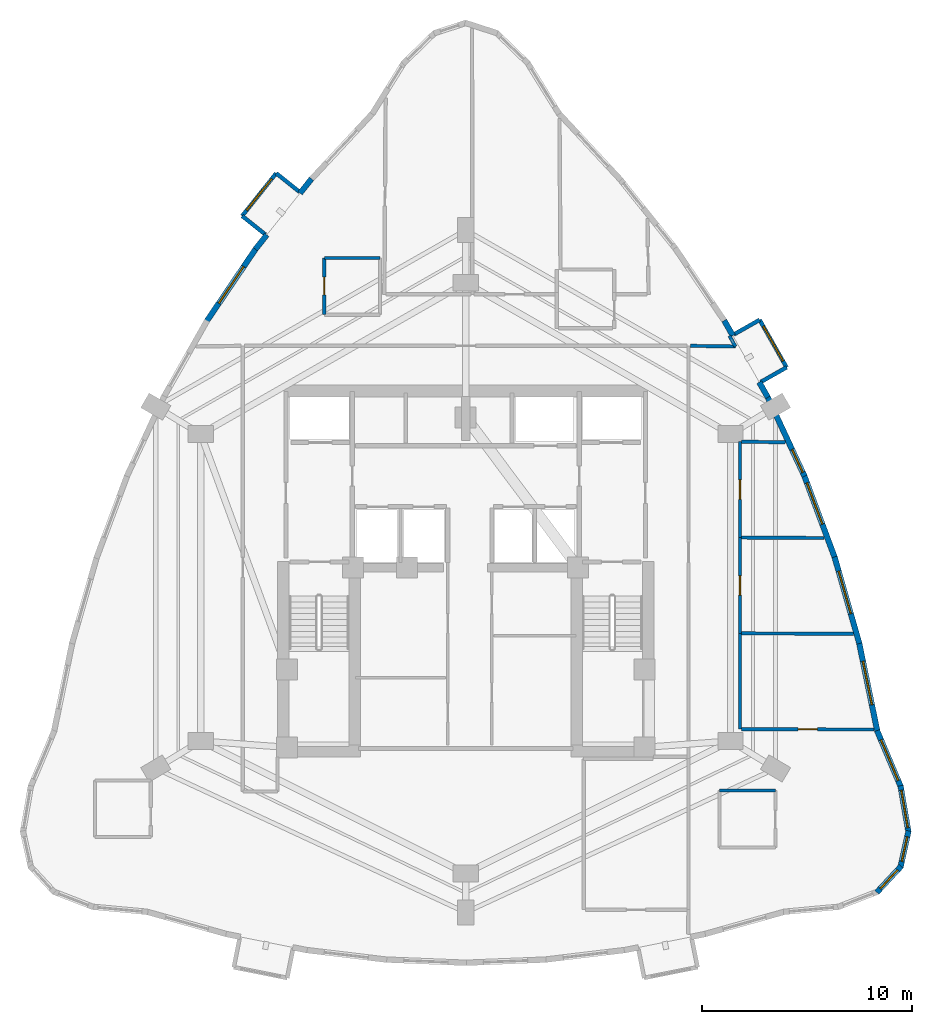
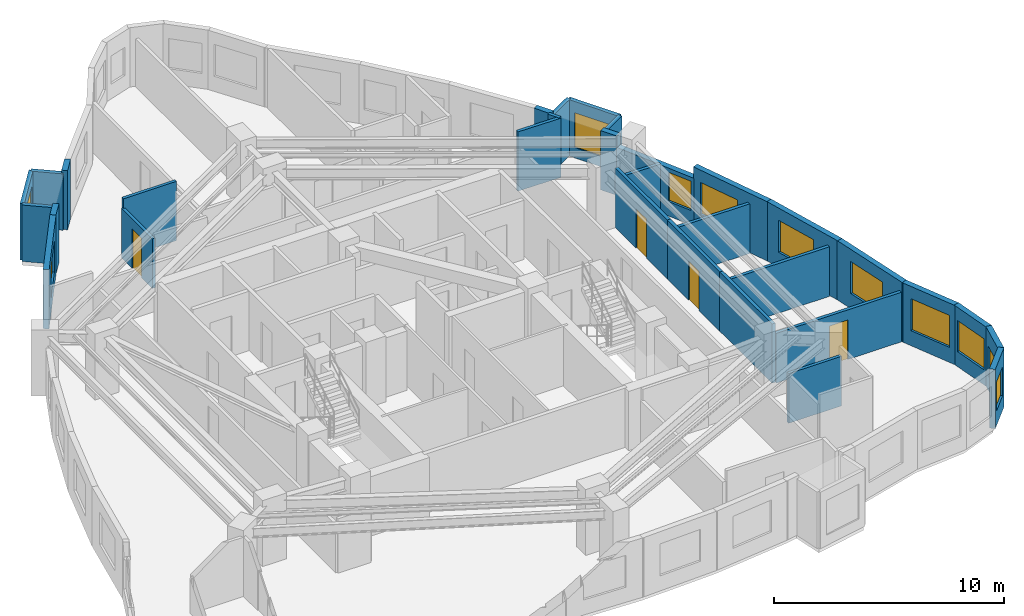
# One storey, part 7 of 9: 31 walls, 11 windows, 4 doors, 15 openings.
"""IFC4 building model written with IfcOpenShell, lengths in metres."""

from ifc_helpers import new_model, si_unit, direction, frame, frame_2d, origin, place, context, subcontext, project, spatial, rectangle, extrude, material, layer, layer_set, type_object, element, fill, save


model = new_model("IFC4")

# Units and contexts
model_context = context("Model", 3, precision=1e-05, world=origin(), true_north=direction((0.0, 1.0)))
body_context = subcontext(model_context, "Body", "Model", "MODEL_VIEW")
ifc_project = project(units=[si_unit("LENGTHUNIT", "METRE"), si_unit("AREAUNIT", "SQUARE_METRE"), si_unit("VOLUMEUNIT", "CUBIC_METRE"), si_unit("PLANEANGLEUNIT", "RADIAN"), si_unit("MASSUNIT", "GRAM", prefix="KILO")], contexts=[model_context])

# Site, building, storey
site_placement = place(None, origin())
site = spatial("IfcSite", under=ifc_project, at=site_placement, CompositionType="ELEMENT")
building_placement = place(site_placement, origin())
building = spatial("IfcBuilding", under=site, at=building_placement, Name="Miruveldt Soraemaru", CompositionType="ELEMENT")
storey_placement = place(building_placement, frame((0.0, 0.0, 180.89990234375)))
storey = spatial("IfcBuildingStorey", under=building, at=storey_placement, Name="L50", CompositionType="ELEMENT", Elevation=180.89990234375)

# Walls
ifc_material_1 = material(Name="White powder-coated aluminium EN AW-6060 T6", Category="aluminium")
ifc_layer_1 = layer(ifc_material_1, 0.18994140625, Name="White powder-coated aluminium EN AW-6060 T6", Category="aluminium")
ifc_layer_set_1 = layer_set([ifc_layer_1], Name="White powder-coated aluminium EN AW-6060 T6")
wall_type_1 = type_object("IfcWallType", Name="WALL-BAY-ALU190", PredefinedType="SOLIDWALL", material=ifc_layer_set_1)
wall_1_placement = place(storey_placement, frame((36.099609375, 61.92041015625, 0.0), z_axis=(0.0, 0.0, 1.0), x_axis=(-0.781737193764, 0.623608017817, 0.0)))
element("IfcWall", 1, at=wall_1_placement, inside=storey, type_object=wall_type_1, Name="L50 Bay Window Side Cheek 4L", PredefinedType="SOLIDWALL", context=body_context, shape_type="SweptSolid", body=[
    extrude(rectangle(XDim=1.425048828125, YDim=0.18994140625, at=frame_2d((0.71240234375, 0.0))), origin(), (0.0, 0.0, 1.0), 3.0),
])
wall_2_placement = place(storey_placement, frame((33.3642578125, 60.776611328125, 0.0), z_axis=(0.0, 0.0, 1.0), x_axis=(0.781653677161, -0.623712697467, 0.0)))
element("IfcWall", 2, at=wall_2_placement, inside=storey, type_object=wall_type_1, Name="L50 Bay Window Side Cheek 4R", PredefinedType="SOLIDWALL", context=body_context, shape_type="SweptSolid", body=[
    extrude(rectangle(XDim=1.42529296875, YDim=0.18994140625, at=frame_2d((0.712646484375, 0.0))), origin(), (0.0, 0.0, 1.0), 3.0),
])

# Wall, opening, window
wall_3_placement = place(storey_placement, frame((34.985595703125, 62.80908203125, 0.0), z_axis=(0.0, 0.0, 1.0), x_axis=(-0.623606546405, -0.781738367538, 0.0)))
wall_3 = element("IfcWall", 3, at=wall_3_placement, inside=storey, type_object=wall_type_1, Name="L50 Bay Window Front Frame 4", PredefinedType="SOLIDWALL", context=body_context, shape_type="SweptSolid", body=[
    extrude(rectangle(XDim=2.599853515625, YDim=0.18994140625, at=frame_2d((1.2998046875, 0.0))), origin(), (0.0, 0.0, 1.0), 3.0),
])
opening_1_placement = place(wall_3_placement, frame((0.35009765625, 0.0, 0.550048828125)))
opening_1 = element("IfcOpeningElement", 4, at=opening_1_placement, cuts=wall_3, Name="Opening WN-6", PredefinedType="OPENING", context=body_context, shape_type="SweptSolid", body=[
    extrude(rectangle(XDim=1.89990234375, YDim=1.85009765625, at=frame_2d((0.949951171875, 0.925048828125))), frame((0.0, 0.10498046875, 0.0), z_axis=(0.0, -1.0, 0.0), x_axis=(1.0, 0.0, 0.0)), (0.0, 0.0, 1.0), 0.2099609375),
])
ifc_material_2 = material(Name="Triple low-e insulated glazing", Category="glass")
window_type_1 = type_object("IfcWindowType", Name="WIN-BAYW-1900x1850", PartitioningType="SINGLE_PANEL", PredefinedType="WINDOW", material=ifc_material_2)
window_1_placement = place(opening_1_placement, origin())
window_1 = element("IfcWindow", 5, at=window_1_placement, inside=storey, type_object=window_type_1, Name="L50 Projecting Bay Window 4", OverallHeight=1.85009765625, OverallWidth=1.89990234375, PartitioningType="SINGLE_PANEL", PredefinedType="WINDOW", context=body_context, shape_type="SweptSolid", body=[
    extrude(rectangle(XDim=1.89990234375, YDim=1.85009765625, at=frame_2d((0.949951171875, 0.925048828125))), frame((0.0, 0.030029296875, 0.0), z_axis=(0.0, -1.0, 0.0), x_axis=(1.0, 0.0, 0.0)), (0.0, 0.0, 1.0), 0.06005859375),
])
fill(opening_1, window_1)

# Walls
for number, where, z_axis, x_axis, name in (
    (6, (58.027099609375, 52.871826171875, 0.0), (0.0, 0.0, 1.0), (0.869799191674, 0.493405883794, 0.0), "L50 Bay Window Side Cheek 3L"),
    (7, (57.98388671875, 55.836669921875, 0.0), (0.0, 0.0, 1.0), (-0.869799191674, -0.493405883794, 0.0), "L50 Bay Window Side Cheek 3R"),
):
    element("IfcWall", number, at=place(storey_placement, frame(where, z_axis=z_axis, x_axis=x_axis)), inside=storey, type_object=wall_type_1, Name=name, PredefinedType="SOLIDWALL", context=body_context, shape_type="SweptSolid", body=[
        extrude(rectangle(XDim=1.425048828125, YDim=0.18994140625, at=frame_2d((0.71240234375, 0.0))), origin(), (0.0, 0.0, 1.0), 3.0),
    ])

# Wall, opening, window
wall_4_placement = place(storey_placement, frame((59.2666015625, 53.574951171875, 0.0), z_axis=(0.0, 0.0, 1.0), x_axis=(-0.493325260824, 0.869844921255, 0.0)))
wall_4 = element("IfcWall", 8, at=wall_4_placement, inside=storey, type_object=wall_type_1, Name="L50 Bay Window Front Frame 3", PredefinedType="SOLIDWALL", context=body_context, shape_type="SweptSolid", body=[
    extrude(rectangle(XDim=2.60009765625, YDim=0.18994140625, at=frame_2d((1.300048828125, 0.0))), origin(), (0.0, 0.0, 1.0), 3.0),
])
opening_2_placement = place(wall_4_placement, frame((0.35009765625, 0.0, 0.550048828125)))
opening_2 = element("IfcOpeningElement", 9, at=opening_2_placement, cuts=wall_4, Name="Opening WN-6", PredefinedType="OPENING", context=body_context, shape_type="SweptSolid", body=[
    extrude(rectangle(XDim=1.89990234375, YDim=1.85009765625, at=frame_2d((0.949951171875, 0.925048828125))), frame((0.0, 0.10498046875, 0.0), z_axis=(0.0, -1.0, 0.0), x_axis=(1.0, 0.0, 0.0)), (0.0, 0.0, 1.0), 0.2099609375),
])
window_2_placement = place(opening_2_placement, origin())
window_2 = element("IfcWindow", 10, at=window_2_placement, inside=storey, type_object=window_type_1, Name="L50 Projecting Bay Window 3", OverallHeight=1.85009765625, OverallWidth=1.89990234375, PartitioningType="SINGLE_PANEL", PredefinedType="WINDOW", context=body_context, shape_type="SweptSolid", body=[
    extrude(rectangle(XDim=1.89990234375, YDim=1.85009765625, at=frame_2d((0.949951171875, 0.925048828125))), frame((0.0, 0.030029296875, 0.0), z_axis=(0.0, -1.0, 0.0), x_axis=(1.0, 0.0, 0.0)), (0.0, 0.0, 1.0), 0.06005859375),
])
fill(opening_2, window_2)

# Walls
ifc_material_3 = material(Name="Precast concrete C45/55 (45 MPa)", Category="concrete")
ifc_layer_2 = layer(ifc_material_3, 0.27001953125, Name="Precast concrete C45/55 (45 MPa)", Category="concrete")
ifc_layer_set_2 = layer_set([ifc_layer_2], Name="Precast concrete C45/55 (45 MPa)")
wall_type_2 = type_object("IfcWallType", Name="WALL-EXT-PC270", PredefinedType="SOLIDWALL", material=ifc_layer_set_2)
wall_5_placement = place(storey_placement, frame((36.668212890625, 62.544921875, 0.0), z_axis=(0.0, 0.0, 1.0), x_axis=(-0.623500381901, -0.781823045049, 0.0)))
element("IfcWall", 11, at=wall_5_placement, inside=storey, type_object=wall_type_2, Name="L50 Precast Pier Wall 8A", PredefinedType="SOLIDWALL", context=body_context, shape_type="SweptSolid", body=[
    extrude(rectangle(XDim=0.872802734375, YDim=0.27001953125, at=frame_2d((0.4365234375, 0.0))), origin(), (0.0, 0.0, 1.0), 3.150146484375),
])
wall_6_placement = place(storey_placement, frame((34.5400390625, 59.876953125, 0.0), z_axis=(0.0, 0.0, 1.0), x_axis=(-0.623671316499, -0.781686694895, 0.0)))
element("IfcWall", 12, at=wall_6_placement, inside=storey, type_object=wall_type_2, Name="L50 Precast Pier Wall 8B", PredefinedType="SOLIDWALL", context=body_context, shape_type="SweptSolid", body=[
    extrude(rectangle(XDim=0.873046875, YDim=0.27001953125, at=frame_2d((0.4365234375, 0.0))), origin(), (0.0, 0.0, 1.0), 3.150146484375),
])

# Wall, opening, window
wall_7_placement = place(storey_placement, frame((34.037109375, 59.2509765625, 0.0), z_axis=(0.0, 0.0, 1.0), x_axis=(-0.560820092429, -0.827937693265, 0.0)))
wall_7 = element("IfcWall", 13, at=wall_7_placement, inside=storey, type_object=wall_type_2, Name="L50 Precast Concrete Facade Wall 9", PredefinedType="SOLIDWALL", context=body_context, shape_type="SweptSolid", body=[
    extrude(rectangle(XDim=4.233642578125, YDim=0.27001953125, at=frame_2d((2.11669921875, 0.0))), origin(), (0.0, 0.0, 1.0), 3.150146484375),
])
opening_3_placement = place(wall_7_placement, frame((1.06689453125, 0.0, 0.800048828125)))
opening_3 = element("IfcOpeningElement", 14, at=opening_3_placement, cuts=wall_7, Name="Opening WN-1", PredefinedType="OPENING", context=body_context, shape_type="SweptSolid", body=[
    extrude(rectangle(XDim=2.10009765625, YDim=1.699951171875, at=frame_2d((1.050048828125, 0.85009765625))), frame((0.0, 0.14501953125, 0.0), z_axis=(0.0, -1.0, 0.0), x_axis=(1.0, 0.0, 0.0)), (0.0, 0.0, 1.0), 0.2900390625),
])
window_type_2 = type_object("IfcWindowType", Name="WIN-PUNCH-2100x1700", PartitioningType="SINGLE_PANEL", PredefinedType="WINDOW", material=ifc_material_2)
window_3_placement = place(opening_3_placement, origin())
window_3 = element("IfcWindow", 15, at=window_3_placement, inside=storey, type_object=window_type_2, Name="L50 Punched Triple-Glazed Window 09.1", OverallHeight=1.699951171875, OverallWidth=2.10009765625, PartitioningType="SINGLE_PANEL", PredefinedType="WINDOW", context=body_context, shape_type="SweptSolid", body=[
    extrude(rectangle(XDim=2.10009765625, YDim=1.699951171875, at=frame_2d((1.050048828125, 0.85009765625))), frame((0.0, 0.030029296875, 0.0), z_axis=(0.0, -1.0, 0.0), x_axis=(1.0, 0.0, 0.0)), (0.0, 0.0, 1.0), 0.06005859375),
])
fill(opening_3, window_3)

wall_8_placement = place(storey_placement, frame((63.5595703125, 28.60107421875, 0.0), z_axis=(0.0, 0.0, 1.0), x_axis=(0.680164360524, 0.73305964469, 0.0)))
wall_8 = element("IfcWall", 16, at=wall_8_placement, inside=storey, type_object=wall_type_2, Name="L50 Precast Concrete Facade Wall 31", PredefinedType="SOLIDWALL", context=body_context, shape_type="SweptSolid", body=[
    extrude(rectangle(XDim=1.698486328125, YDim=0.27001953125, at=frame_2d((0.84912109375, 0.0))), origin(), (0.0, 0.0, 1.0), 3.150146484375),
])
opening_4_placement = place(wall_8_placement, frame((0.2490234375, 0.0, 0.780029296875)))
opening_4 = element("IfcOpeningElement", 17, at=opening_4_placement, cuts=wall_8, Name="Opening WN-4", PredefinedType="OPENING", context=body_context, shape_type="SweptSolid", body=[
    extrude(rectangle(XDim=1.199951171875, YDim=1.550048828125, at=frame_2d((0.60009765625, 0.77490234375))), frame((0.0, 0.14501953125, 0.0), z_axis=(0.0, -1.0, 0.0), x_axis=(1.0, 0.0, 0.0)), (0.0, 0.0, 1.0), 0.2900390625),
])
window_type_3 = type_object("IfcWindowType", Name="WIN-PUNCH-1200x1550", PartitioningType="SINGLE_PANEL", PredefinedType="WINDOW", material=ifc_material_2)
window_4_placement = place(opening_4_placement, origin())
window_4 = element("IfcWindow", 18, at=window_4_placement, inside=storey, type_object=window_type_3, Name="L50 Punched Triple-Glazed Window 31.1", OverallHeight=1.550048828125, OverallWidth=1.199951171875, PartitioningType="SINGLE_PANEL", PredefinedType="WINDOW", context=body_context, shape_type="SweptSolid", body=[
    extrude(rectangle(XDim=1.199951171875, YDim=1.550048828125, at=frame_2d((0.60009765625, 0.77490234375))), frame((0.0, 0.030029296875, 0.0), z_axis=(0.0, -1.0, 0.0), x_axis=(1.0, 0.0, 0.0)), (0.0, 0.0, 1.0), 0.06005859375),
])
fill(opening_4, window_4)

wall_9_placement = place(storey_placement, frame((64.683349609375, 29.786376953125, 0.0), z_axis=(0.0, 0.0, 1.0), x_axis=(0.215842043801, 0.976428293387, 0.0)))
wall_9 = element("IfcWall", 19, at=wall_9_placement, inside=storey, type_object=wall_type_2, Name="L50 Precast Concrete Facade Wall 32", PredefinedType="SOLIDWALL", context=body_context, shape_type="SweptSolid", body=[
    extrude(rectangle(XDim=1.781494140625, YDim=0.27001953125, at=frame_2d((0.890625, 0.0))), origin(), (0.0, 0.0, 1.0), 3.150146484375),
])
opening_5_placement = place(wall_9_placement, frame((0.291015625, 0.0, 0.780029296875)))
opening_5 = element("IfcOpeningElement", 20, at=opening_5_placement, cuts=wall_9, Name="Opening WN-4", PredefinedType="OPENING", context=body_context, shape_type="SweptSolid", body=[
    extrude(rectangle(XDim=1.199951171875, YDim=1.550048828125, at=frame_2d((0.60009765625, 0.77490234375))), frame((0.0, 0.14501953125, 0.0), z_axis=(0.0, -1.0, 0.0), x_axis=(1.0, 0.0, 0.0)), (0.0, 0.0, 1.0), 0.2900390625),
])
window_5_placement = place(opening_5_placement, origin())
window_5 = element("IfcWindow", 21, at=window_5_placement, inside=storey, type_object=window_type_3, Name="L50 Punched Triple-Glazed Window 32.1", OverallHeight=1.550048828125, OverallWidth=1.199951171875, PartitioningType="SINGLE_PANEL", PredefinedType="WINDOW", context=body_context, shape_type="SweptSolid", body=[
    extrude(rectangle(XDim=1.199951171875, YDim=1.550048828125, at=frame_2d((0.60009765625, 0.77490234375))), frame((0.0, 0.030029296875, 0.0), z_axis=(0.0, -1.0, 0.0), x_axis=(1.0, 0.0, 0.0)), (0.0, 0.0, 1.0), 0.06005859375),
])
fill(opening_5, window_5)

wall_10_placement = place(storey_placement, frame((65.066162109375, 31.457275390625, 0.0), z_axis=(0.0, 0.0, 1.0), x_axis=(-0.169358284126, 0.98555455029, 0.0)))
wall_10 = element("IfcWall", 22, at=wall_10_placement, inside=storey, type_object=wall_type_2, Name="L50 Precast Concrete Facade Wall 33", PredefinedType="SOLIDWALL", context=body_context, shape_type="SweptSolid", body=[
    extrude(rectangle(XDim=2.250244140625, YDim=0.27001953125, at=frame_2d((1.125, 0.0))), origin(), (0.0, 0.0, 1.0), 3.150146484375),
])
opening_6_placement = place(wall_10_placement, frame((0.22509765625, 0.0, 0.800048828125)))
opening_6 = element("IfcOpeningElement", 23, at=opening_6_placement, cuts=wall_10, Name="Opening WN-2", PredefinedType="OPENING", context=body_context, shape_type="SweptSolid", body=[
    extrude(rectangle(XDim=1.800048828125, YDim=1.64990234375, at=frame_2d((0.89990234375, 0.824951171875))), frame((0.0, 0.14501953125, 0.0), z_axis=(0.0, -1.0, 0.0), x_axis=(1.0, 0.0, 0.0)), (0.0, 0.0, 1.0), 0.2900390625),
])
window_type_4 = type_object("IfcWindowType", Name="WIN-PUNCH-1800x1650", PartitioningType="SINGLE_PANEL", PredefinedType="WINDOW", material=ifc_material_2)
window_6_placement = place(opening_6_placement, origin())
window_6 = element("IfcWindow", 24, at=window_6_placement, inside=storey, type_object=window_type_4, Name="L50 Punched Triple-Glazed Window 33.1", OverallHeight=1.64990234375, OverallWidth=1.800048828125, PartitioningType="SINGLE_PANEL", PredefinedType="WINDOW", context=body_context, shape_type="SweptSolid", body=[
    extrude(rectangle(XDim=1.800048828125, YDim=1.64990234375, at=frame_2d((0.89990234375, 0.824951171875))), frame((0.0, 0.030029296875, 0.0), z_axis=(0.0, -1.0, 0.0), x_axis=(1.0, 0.0, 0.0)), (0.0, 0.0, 1.0), 0.06005859375),
])
fill(opening_6, window_6)

wall_11_placement = place(storey_placement, frame((64.70458984375, 33.6083984375, 0.0), z_axis=(0.0, 0.0, 1.0), x_axis=(-0.388625089354, 0.921395973469, 0.0)))
wall_11 = element("IfcWall", 25, at=wall_11_placement, inside=storey, type_object=wall_type_2, Name="L50 Precast Concrete Facade Wall 34", PredefinedType="SOLIDWALL", context=body_context, shape_type="SweptSolid", body=[
    extrude(rectangle(XDim=2.919921875, YDim=0.27001953125, at=frame_2d((1.4599609375, 0.0))), origin(), (0.0, 0.0, 1.0), 3.150146484375),
])
opening_7_placement = place(wall_11_placement, frame((0.343017578125, 0.0, 0.800048828125)))
opening_7 = element("IfcOpeningElement", 26, at=opening_7_placement, cuts=wall_11, Name="Opening WN-1", PredefinedType="OPENING", context=body_context, shape_type="SweptSolid", body=[
    extrude(rectangle(XDim=2.10009765625, YDim=1.699951171875, at=frame_2d((1.050048828125, 0.85009765625))), frame((0.0, 0.14501953125, 0.0), z_axis=(0.0, -1.0, 0.0), x_axis=(1.0, 0.0, 0.0)), (0.0, 0.0, 1.0), 0.2900390625),
])
window_7_placement = place(opening_7_placement, origin())
window_7 = element("IfcWindow", 27, at=window_7_placement, inside=storey, type_object=window_type_2, Name="L50 Punched Triple-Glazed Window 34.1", OverallHeight=1.699951171875, OverallWidth=2.10009765625, PartitioningType="SINGLE_PANEL", PredefinedType="WINDOW", context=body_context, shape_type="SweptSolid", body=[
    extrude(rectangle(XDim=2.10009765625, YDim=1.699951171875, at=frame_2d((1.050048828125, 0.85009765625))), frame((0.0, 0.030029296875, 0.0), z_axis=(0.0, -1.0, 0.0), x_axis=(1.0, 0.0, 0.0)), (0.0, 0.0, 1.0), 0.06005859375),
])
fill(opening_7, window_7)

wall_12_placement = place(storey_placement, frame((63.590576171875, 36.232421875, 0.0), z_axis=(0.0, 0.0, 1.0), x_axis=(-0.201622920586, 0.979463219266, 0.0)))
wall_12 = element("IfcWall", 28, at=wall_12_placement, inside=storey, type_object=wall_type_2, Name="L50 Precast Concrete Facade Wall 35", PredefinedType="SOLIDWALL", context=body_context, shape_type="SweptSolid", body=[
    extrude(rectangle(XDim=4.36279296875, YDim=0.27001953125, at=frame_2d((2.181396484375, 0.0))), origin(), (0.0, 0.0, 1.0), 3.150146484375),
])
opening_8_placement = place(wall_12_placement, frame((1.324951171875, 0.0, 0.800048828125)))
opening_8 = element("IfcOpeningElement", 29, at=opening_8_placement, cuts=wall_12, Name="Opening WN-1", PredefinedType="OPENING", context=body_context, shape_type="SweptSolid", body=[
    extrude(rectangle(XDim=2.10009765625, YDim=1.699951171875, at=frame_2d((1.050048828125, 0.85009765625))), frame((0.0, 0.14501953125, 0.0), z_axis=(0.0, -1.0, 0.0), x_axis=(1.0, 0.0, 0.0)), (0.0, 0.0, 1.0), 0.2900390625),
])
window_8_placement = place(opening_8_placement, origin())
window_8 = element("IfcWindow", 30, at=window_8_placement, inside=storey, type_object=window_type_2, Name="L50 Punched Triple-Glazed Window 35.1", OverallHeight=1.699951171875, OverallWidth=2.10009765625, PartitioningType="SINGLE_PANEL", PredefinedType="WINDOW", context=body_context, shape_type="SweptSolid", body=[
    extrude(rectangle(XDim=2.10009765625, YDim=1.699951171875, at=frame_2d((1.050048828125, 0.85009765625))), frame((0.0, 0.030029296875, 0.0), z_axis=(0.0, -1.0, 0.0), x_axis=(1.0, 0.0, 0.0)), (0.0, 0.0, 1.0), 0.06005859375),
])
fill(opening_8, window_8)

wall_13_placement = place(storey_placement, frame((62.727783203125, 40.437744140625, 0.0), z_axis=(0.0, 0.0, 1.0), x_axis=(-0.274984460163, 0.961448670845, 0.0)))
wall_13 = element("IfcWall", 31, at=wall_13_placement, inside=storey, type_object=wall_type_2, Name="L50 Precast Concrete Facade Wall 36", PredefinedType="SOLIDWALL", context=body_context, shape_type="SweptSolid", body=[
    extrude(rectangle(XDim=4.28564453125, YDim=0.27001953125, at=frame_2d((2.142822265625, 0.0))), origin(), (0.0, 0.0, 1.0), 3.150146484375),
])
opening_9_placement = place(wall_13_placement, frame((1.47607421875, 0.0, 0.800048828125)))
opening_9 = element("IfcOpeningElement", 32, at=opening_9_placement, cuts=wall_13, Name="Opening WN-1", PredefinedType="OPENING", context=body_context, shape_type="SweptSolid", body=[
    extrude(rectangle(XDim=2.10009765625, YDim=1.699951171875, at=frame_2d((1.050048828125, 0.85009765625))), frame((0.0, 0.14501953125, 0.0), z_axis=(0.0, -1.0, 0.0), x_axis=(1.0, 0.0, 0.0)), (0.0, 0.0, 1.0), 0.2900390625),
])
window_9_placement = place(opening_9_placement, origin())
window_9 = element("IfcWindow", 33, at=window_9_placement, inside=storey, type_object=window_type_2, Name="L50 Punched Triple-Glazed Window 36.1", OverallHeight=1.699951171875, OverallWidth=2.10009765625, PartitioningType="SINGLE_PANEL", PredefinedType="WINDOW", context=body_context, shape_type="SweptSolid", body=[
    extrude(rectangle(XDim=2.10009765625, YDim=1.699951171875, at=frame_2d((1.050048828125, 0.85009765625))), frame((0.0, 0.030029296875, 0.0), z_axis=(0.0, -1.0, 0.0), x_axis=(1.0, 0.0, 0.0)), (0.0, 0.0, 1.0), 0.06005859375),
])
fill(opening_9, window_9)

wall_14_placement = place(storey_placement, frame((61.571044921875, 44.49169921875, 0.0), z_axis=(0.0, 0.0, 1.0), x_axis=(-0.349011712454, 0.937118362092, 0.0)))
wall_14 = element("IfcWall", 34, at=wall_14_placement, inside=storey, type_object=wall_type_2, Name="L50 Precast Concrete Facade Wall 37", PredefinedType="SOLIDWALL", context=body_context, shape_type="SweptSolid", body=[
    extrude(rectangle(XDim=4.2333984375, YDim=0.27001953125, at=frame_2d((2.11669921875, 0.0))), origin(), (0.0, 0.0, 1.0), 3.150146484375),
])
opening_10_placement = place(wall_14_placement, frame((1.72998046875, 0.0, 0.800048828125)))
opening_10 = element("IfcOpeningElement", 35, at=opening_10_placement, cuts=wall_14, Name="Opening WN-1", PredefinedType="OPENING", context=body_context, shape_type="SweptSolid", body=[
    extrude(rectangle(XDim=2.10009765625, YDim=1.699951171875, at=frame_2d((1.050048828125, 0.85009765625))), frame((0.0, 0.14501953125, 0.0), z_axis=(0.0, -1.0, 0.0), x_axis=(1.0, 0.0, 0.0)), (0.0, 0.0, 1.0), 0.2900390625),
])
window_10_placement = place(opening_10_placement, origin())
window_10 = element("IfcWindow", 36, at=window_10_placement, inside=storey, type_object=window_type_2, Name="L50 Punched Triple-Glazed Window 37.1", OverallHeight=1.699951171875, OverallWidth=2.10009765625, PartitioningType="SINGLE_PANEL", PredefinedType="WINDOW", context=body_context, shape_type="SweptSolid", body=[
    extrude(rectangle(XDim=2.10009765625, YDim=1.699951171875, at=frame_2d((1.050048828125, 0.85009765625))), frame((0.0, 0.030029296875, 0.0), z_axis=(0.0, -1.0, 0.0), x_axis=(1.0, 0.0, 0.0)), (0.0, 0.0, 1.0), 0.06005859375),
])
fill(opening_10, window_10)

wall_15_placement = place(storey_placement, frame((60.12060546875, 48.39453125, 0.0), z_axis=(0.0, 0.0, 1.0), x_axis=(-0.422345326192, 0.906435008947, 0.0)))
wall_15 = element("IfcWall", 37, at=wall_15_placement, inside=storey, type_object=wall_type_2, Name="L50 Precast Concrete Facade Wall 38", PredefinedType="SOLIDWALL", context=body_context, shape_type="SweptSolid", body=[
    extrude(rectangle(XDim=4.20703125, YDim=0.27001953125, at=frame_2d((2.103515625, 0.0))), origin(), (0.0, 0.0, 1.0), 2.550048828125),
])
opening_11_placement = place(wall_15_placement, frame((0.2060546875, 0.0, 0.780029296875)))
opening_11 = element("IfcOpeningElement", 38, at=opening_11_placement, cuts=wall_15, Name="Opening WN-4", PredefinedType="OPENING", context=body_context, shape_type="SweptSolid", body=[
    extrude(rectangle(XDim=1.199951171875, YDim=1.550048828125, at=frame_2d((0.60009765625, 0.77490234375))), frame((0.0, 0.14501953125, 0.0), z_axis=(0.0, -1.0, 0.0), x_axis=(1.0, 0.0, 0.0)), (0.0, 0.0, 1.0), 0.2900390625),
])
window_11_placement = place(opening_11_placement, origin())
window_11 = element("IfcWindow", 39, at=window_11_placement, inside=storey, type_object=window_type_3, Name="L50 Punched Triple-Glazed Window 38.1", OverallHeight=1.550048828125, OverallWidth=1.199951171875, PartitioningType="SINGLE_PANEL", PredefinedType="WINDOW", context=body_context, shape_type="SweptSolid", body=[
    extrude(rectangle(XDim=1.199951171875, YDim=1.550048828125, at=frame_2d((0.60009765625, 0.77490234375))), frame((0.0, 0.030029296875, 0.0), z_axis=(0.0, -1.0, 0.0), x_axis=(1.0, 0.0, 0.0)), (0.0, 0.0, 1.0), 0.06005859375),
])
fill(opening_11, window_11)

# Walls
for number, where, z_axis, x_axis, name in (
    (40, (58.3759765625, 52.14599609375, 0.0), (0.0, 0.0, 1.0), (-0.49358156725, 0.869699509297, 0.0), "L50 Precast Pier Wall 39A"),
    (41, (56.71142578125, 55.080322265625, 0.0), (0.0, 0.0, 1.0), (-0.493234259092, 0.869896525834, 0.0), "L50 Precast Pier Wall 39B"),
):
    element("IfcWall", number, at=place(storey_placement, frame(where, z_axis=z_axis, x_axis=x_axis)), inside=storey, type_object=wall_type_2, Name=name, PredefinedType="SOLIDWALL", context=body_context, shape_type="SweptSolid", body=[
        extrude(rectangle(XDim=0.83349609375, YDim=0.27001953125, at=frame_2d((0.416748046875, 0.0))), origin(), (0.0, 0.0, 1.0), 3.150146484375),
    ])

# Wall, opening, door
ifc_material_4 = material(Name="Gypsum plasterboard lining", Category="gypsum")
ifc_layer_3 = layer(ifc_material_4, 0.14990234375, Name="Gypsum plasterboard lining", Category="gypsum")
ifc_layer_set_3 = layer_set([ifc_layer_3], Name="Gypsum plasterboard lining")
wall_type_3 = type_object("IfcWallType", Name="WALL-INT-PLUMB", PredefinedType="PLUMBINGWALL", material=ifc_layer_set_3)
wall_16_placement = place(storey_placement, frame((37.27490234375, 58.780029296875, 0.0), z_axis=(0.0, 0.0, 1.0), x_axis=(0.0, -1.0, 0.0)))
wall_16 = element("IfcWall", 42, at=wall_16_placement, inside=storey, type_object=wall_type_3, Name="L50 Partition Wall 8", PredefinedType="PLUMBINGWALL", context=body_context, shape_type="SweptSolid", body=[
    extrude(rectangle(XDim=2.699951171875, YDim=0.14990234375, at=frame_2d((1.35009765625, 0.0))), origin(), (0.0, 0.0, 1.0), 2.63818359375),
])
opening_12_placement = place(wall_16_placement, frame((0.909912109375, 0.0, 0.0)))
opening_12 = element("IfcOpeningElement", 43, at=opening_12_placement, cuts=wall_16, Name="Opening FD3", PredefinedType="OPENING", context=body_context, shape_type="SweptSolid", body=[
    extrude(rectangle(XDim=0.85009765625, YDim=2.10009765625, at=frame_2d((0.425048828125, 1.050048828125))), frame((0.0, 0.0849609375, 0.0), z_axis=(0.0, -1.0, 0.0), x_axis=(1.0, 0.0, 0.0)), (0.0, 0.0, 1.0), 0.169921875),
])
ifc_material_5 = material(Name="Anodised aluminium EN AW-6063 T6", Category="aluminium")
door_type_1 = type_object("IfcDoorType", Name="DOOR-FD3-850", OperationType="NOTDEFINED", PredefinedType="DOOR", material=ifc_material_5)
door_1_placement = place(opening_12_placement, origin())
door_1 = element("IfcDoor", 44, at=door_1_placement, inside=storey, type_object=door_type_1, Name="L50 Unit 5001 BTH Door", OperationType="SINGLE_SWING_LEFT", OverallHeight=2.10009765625, OverallWidth=0.85009765625, PredefinedType="DOOR", context=body_context, shape_type="SweptSolid", body=[
    extrude(rectangle(XDim=0.85009765625, YDim=2.10009765625, at=frame_2d((0.425048828125, 1.050048828125))), frame((0.0, 0.02490234375, 0.0), z_axis=(0.0, -1.0, 0.0), x_axis=(1.0, 0.0, 0.0)), (0.0, 0.0, 1.0), 0.050048828125),
])
fill(opening_12, door_1)

# Walls
wall_17_placement = place(storey_placement, frame((39.925048828125, 58.780029296875, 0.0), z_axis=(0.0, 0.0, 1.0), x_axis=(-1.0, 0.0, 0.0)))
element("IfcWall", 45, at=wall_17_placement, inside=storey, type_object=wall_type_3, Name="L50 Partition Wall 7", PredefinedType="PLUMBINGWALL", context=body_context, shape_type="SweptSolid", body=[
    extrude(rectangle(XDim=2.650146484375, YDim=0.14990234375, at=frame_2d((1.3251953125, 0.0))), origin(), (0.0, 0.0, 1.0), 3.150146484375),
])
wall_18_placement = place(storey_placement, frame((58.72998046875, 33.43896484375, 0.0), z_axis=(0.0, 0.0, 1.0), x_axis=(-1.0, 0.0, 0.0)))
element("IfcWall", 46, at=wall_18_placement, inside=storey, type_object=wall_type_3, Name="L50 Partition Wall 32", PredefinedType="PLUMBINGWALL", context=body_context, shape_type="SweptSolid", body=[
    extrude(rectangle(XDim=2.64990234375, YDim=0.14990234375, at=frame_2d((1.324951171875, 0.0))), origin(), (0.0, 0.0, 1.0), 2.63818359375),
])

# Wall, opening, door
ifc_material_6 = material(Name="Concrete C40/50 (40 MPa)", Category="concrete")
ifc_layer_4 = layer(ifc_material_6, 0.159912109375, Name="Concrete C40/50 (40 MPa)", Category="concrete")
ifc_layer_set_4 = layer_set([ifc_layer_4], Name="Concrete C40/50 (40 MPa)")
wall_type_4 = type_object("IfcWallType", Name="WALL-INT-RC160", PredefinedType="SOLIDWALL", material=ifc_layer_set_4)
wall_19_placement = place(storey_placement, frame((63.4140625, 36.346923828125, 0.0), z_axis=(0.0, 0.0, 1.0), x_axis=(-0.999997461324, 0.002253296533, 0.0)))
wall_19 = element("IfcWall", 47, at=wall_19_placement, inside=storey, type_object=wall_type_4, Name="L50 Partition Wall 35", PredefinedType="SOLIDWALL", context=body_context, shape_type="SweptSolid", body=[
    extrude(rectangle(XDim=6.2841796875, YDim=0.159912109375, at=frame_2d((3.14208984375, 0.0))), origin(), (0.0, 0.0, 1.0), 2.63818359375),
])
opening_13_placement = place(wall_19_placement, frame((2.681884765625, 0.0, 0.0)))
opening_13 = element("IfcOpeningElement", 48, at=opening_13_placement, cuts=wall_19, Name="Opening D3A", PredefinedType="OPENING", context=body_context, shape_type="SweptSolid", body=[
    extrude(rectangle(XDim=0.919921875, YDim=2.10009765625, at=frame_2d((0.4599609375, 1.050048828125))), frame((0.0, 0.08984375, 0.0), z_axis=(0.0, -1.0, 0.0), x_axis=(1.0, 0.0, 0.0)), (0.0, 0.0, 1.0), 0.179931640625),
])
door_type_2 = type_object("IfcDoorType", Name="DOOR-INT-920", OperationType="NOTDEFINED", PredefinedType="DOOR", material=ifc_material_5)
door_2_placement = place(opening_13_placement, origin())
door_2 = element("IfcDoor", 49, at=door_2_placement, inside=storey, type_object=door_type_2, Name="L50 Unit 5003 BD1 Door", OperationType="SINGLE_SWING_LEFT", OverallHeight=2.10009765625, OverallWidth=0.919921875, PredefinedType="DOOR", context=body_context, shape_type="SweptSolid", body=[
    extrude(rectangle(XDim=0.919921875, YDim=2.10009765625, at=frame_2d((0.4599609375, 1.050048828125))), frame((0.0, 0.02490234375, 0.0), z_axis=(0.0, -1.0, 0.0), x_axis=(1.0, 0.0, 0.0)), (0.0, 0.0, 1.0), 0.050048828125),
])
fill(opening_13, door_2)

wall_20_placement = place(storey_placement, frame((57.050048828125, 45.47998046875, 0.0), z_axis=(0.0, 0.0, 1.0), x_axis=(0.0, 1.0, 0.0)))
wall_20 = element("IfcWall", 50, at=wall_20_placement, inside=storey, type_object=wall_type_4, Name="L50 Partition Wall 38", PredefinedType="SOLIDWALL", context=body_context, shape_type="SweptSolid", body=[
    extrude(rectangle(XDim=4.56005859375, YDim=0.159912109375, at=frame_2d((2.280029296875, 0.0))), origin(), (0.0, 0.0, 1.0), 3.150146484375),
])
opening_14_placement = place(wall_20_placement, frame((1.820068359375, 0.0, 0.0)))
opening_14 = element("IfcOpeningElement", 51, at=opening_14_placement, cuts=wall_20, Name="Opening D3A", PredefinedType="OPENING", context=body_context, shape_type="SweptSolid", body=[
    extrude(rectangle(XDim=0.919921875, YDim=2.10009765625, at=frame_2d((0.4599609375, 1.050048828125))), frame((0.0, 0.08984375, 0.0), z_axis=(0.0, -1.0, 0.0), x_axis=(1.0, 0.0, 0.0)), (0.0, 0.0, 1.0), 0.179931640625),
])
door_3_placement = place(opening_14_placement, origin())
door_3 = element("IfcDoor", 52, at=door_3_placement, inside=storey, type_object=door_type_2, Name="L50 Unit 5003 BD3 Door", OperationType="SINGLE_SWING_LEFT", OverallHeight=2.10009765625, OverallWidth=0.919921875, PredefinedType="DOOR", context=body_context, shape_type="SweptSolid", body=[
    extrude(rectangle(XDim=0.919921875, YDim=2.10009765625, at=frame_2d((0.4599609375, 1.050048828125))), frame((0.0, 0.02490234375, 0.0), z_axis=(0.0, -1.0, 0.0), x_axis=(1.0, 0.0, 0.0)), (0.0, 0.0, 1.0), 0.050048828125),
])
fill(opening_14, door_3)

wall_21_placement = place(storey_placement, frame((57.050048828125, 40.9208984375, 0.0), z_axis=(0.0, 0.0, 1.0), x_axis=(0.0, 1.0, 0.0)))
wall_21 = element("IfcWall", 53, at=wall_21_placement, inside=storey, type_object=wall_type_4, Name="L50 Partition Wall 37", PredefinedType="SOLIDWALL", context=body_context, shape_type="SweptSolid", body=[
    extrude(rectangle(XDim=4.55908203125, YDim=0.159912109375, at=frame_2d((2.279541015625, 0.0))), origin(), (0.0, 0.0, 1.0), 3.150146484375),
])
opening_15_placement = place(wall_21_placement, frame((1.819091796875, 0.0, 0.0)))
opening_15 = element("IfcOpeningElement", 54, at=opening_15_placement, cuts=wall_21, Name="Opening D3A", PredefinedType="OPENING", context=body_context, shape_type="SweptSolid", body=[
    extrude(rectangle(XDim=0.919921875, YDim=2.10009765625, at=frame_2d((0.4599609375, 1.050048828125))), frame((0.0, 0.08984375, 0.0), z_axis=(0.0, -1.0, 0.0), x_axis=(1.0, 0.0, 0.0)), (0.0, 0.0, 1.0), 0.179931640625),
])
door_4_placement = place(opening_15_placement, origin())
door_4 = element("IfcDoor", 55, at=door_4_placement, inside=storey, type_object=door_type_2, Name="L50 Unit 5003 BD2 Door", OperationType="SINGLE_SWING_RIGHT", OverallHeight=2.10009765625, OverallWidth=0.919921875, PredefinedType="DOOR", context=body_context, shape_type="SweptSolid", body=[
    extrude(rectangle(XDim=0.919921875, YDim=2.10009765625, at=frame_2d((0.4599609375, 1.050048828125))), frame((0.0, 0.02490234375, 0.0), z_axis=(0.0, -1.0, 0.0), x_axis=(1.0, 0.0, 0.0)), (0.0, 0.0, 1.0), 0.050048828125),
])
fill(opening_15, door_4)

# Walls
wall_22_placement = place(storey_placement, frame((62.43896484375, 40.902099609375, 0.0), z_axis=(0.0, 0.0, 1.0), x_axis=(-0.99999373114, 0.003540858884, 0.0)))
element("IfcWall", 56, at=wall_22_placement, inside=storey, type_object=wall_type_4, Name="L50 Partition Wall 40", PredefinedType="SOLIDWALL", context=body_context, shape_type="SweptSolid", body=[
    extrude(rectangle(XDim=5.30908203125, YDim=0.159912109375, at=frame_2d((2.654541015625, 0.0))), origin(), (0.0, 0.0, 1.0), 2.63818359375),
])
wall_23_placement = place(storey_placement, frame((57.050048828125, 36.361083984375, 0.0), z_axis=(0.0, 0.0, 1.0), x_axis=(0.0, 1.0, 0.0)))
element("IfcWall", 57, at=wall_23_placement, inside=storey, type_object=wall_type_4, Name="L50 Partition Wall 36", PredefinedType="SOLIDWALL", context=body_context, shape_type="SweptSolid", body=[
    extrude(rectangle(XDim=4.559814453125, YDim=0.159912109375, at=frame_2d((2.27978515625, 0.0))), origin(), (0.0, 0.0, 1.0), 3.150146484375),
])
wall_24_placement = place(storey_placement, frame((61.052001953125, 45.4560546875, 0.0), z_axis=(0.0, 0.0, 1.0), x_axis=(-0.99998139419, 0.006100104365, 0.0)))
element("IfcWall", 58, at=wall_24_placement, inside=storey, type_object=wall_type_4, Name="L50 Partition Wall 41", PredefinedType="SOLIDWALL", context=body_context, shape_type="SweptSolid", body=[
    extrude(rectangle(XDim=3.922119140625, YDim=0.159912109375, at=frame_2d((1.9609375, 0.0))), origin(), (0.0, 0.0, 1.0), 2.63818359375),
])
wall_25_placement = place(storey_placement, frame((54.68310546875, 54.59912109375, 0.0), z_axis=(0.0, 0.0, 1.0), x_axis=(0.999887365467, -0.01500854358, 0.0)))
element("IfcWall", 59, at=wall_25_placement, inside=storey, type_object=wall_type_4, Name="L50 Partition Wall 19", PredefinedType="SOLIDWALL", context=body_context, shape_type="SweptSolid", body=[
    extrude(rectangle(XDim=2.147216796875, YDim=0.159912109375, at=frame_2d((1.07373046875, 0.0))), origin(), (0.0, 0.0, 1.0), 3.150146484375),
])
wall_26_placement = place(storey_placement, frame((57.1298828125, 50.0390625, 0.0), z_axis=(0.0, 0.0, 1.0), x_axis=(0.999901714038, -0.014020066451, 0.0)))
element("IfcWall", 60, at=wall_26_placement, inside=storey, type_object=wall_type_4, Name="L50 Partition Wall 39", PredefinedType="SOLIDWALL", context=body_context, shape_type="SweptSolid", body=[
    extrude(rectangle(XDim=2.072265625, YDim=0.159912109375, at=frame_2d((1.0361328125, 0.0))), origin(), (0.0, 0.0, 1.0), 2.63818359375),
])
wall_27_placement = place(storey_placement, frame((56.830078125, 54.56689453125, 0.0), z_axis=(0.0, 0.0, 1.0), x_axis=(-0.482735382666, 0.875766264663, 0.0)))
element("IfcWall", 61, at=wall_27_placement, inside=storey, type_object=wall_type_4, Name="L50 Partition Closure Return 1", PredefinedType="SOLIDWALL", context=body_context, shape_type="SweptSolid", body=[
    extrude(rectangle(XDim=0.585205078125, YDim=0.159912109375, at=frame_2d((0.29248046875, 0.0))), origin(), (0.0, 0.0, 1.0), 3.150146484375),
])

save(model, "model.ifc")
